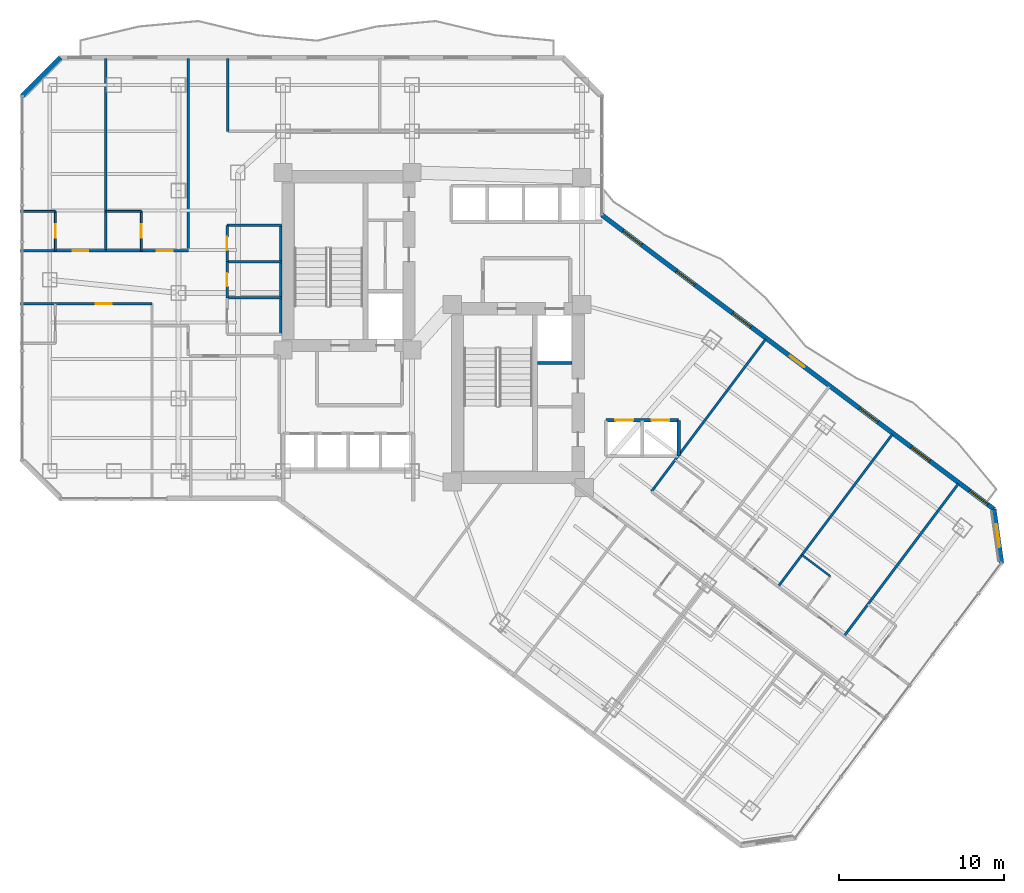
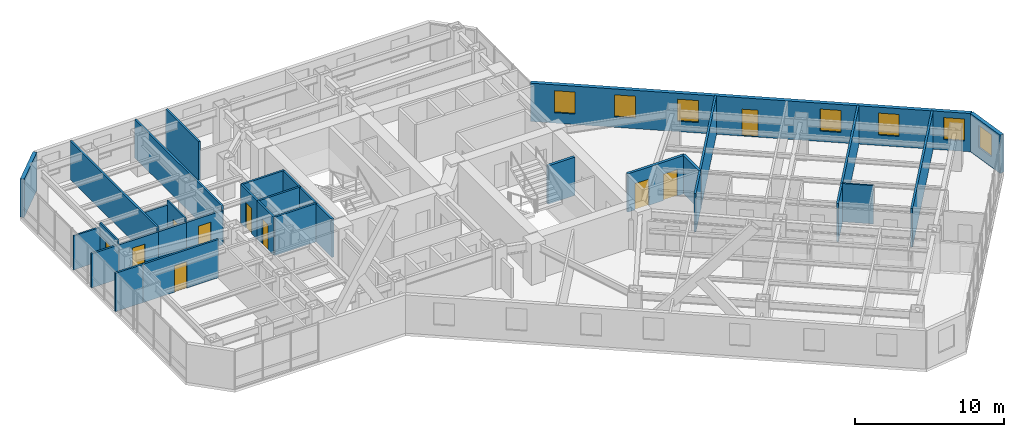
# One storey, part 24 of 30: 29 walls, 10 doors, 7 windows, 17 openings.
"""IFC4 building model written with IfcOpenShell, lengths in metres."""

from ifc_helpers import new_model, si_unit, direction, frame, frame_2d, origin, place, context, subcontext, project, spatial, rectangle, extrude, material, layer, layer_set, type_object, element, fill, save


model = new_model("IFC4")

# Units and contexts
model_context = context("Model", 3, precision=1e-05, world=origin(), true_north=direction((0.0, 1.0)))
body_context = subcontext(model_context, "Body", "Model", "MODEL_VIEW")
ifc_project = project(units=[si_unit("LENGTHUNIT", "METRE"), si_unit("AREAUNIT", "SQUARE_METRE"), si_unit("VOLUMEUNIT", "CUBIC_METRE"), si_unit("PLANEANGLEUNIT", "RADIAN"), si_unit("MASSUNIT", "GRAM", prefix="KILO")], contexts=[model_context])

# Site, building, storey
site_placement = place(None, origin())
site = spatial("IfcSite", under=ifc_project, at=site_placement, CompositionType="ELEMENT")
building_placement = place(site_placement, origin())
building = spatial("IfcBuilding", under=site, at=building_placement, Name="Hatsunagi Terrace Concourse", CompositionType="ELEMENT")
storey_placement = place(building_placement, frame((0.0, 0.0, 74.60009765625)))
storey = spatial("IfcBuildingStorey", under=building, at=storey_placement, Name="L19", CompositionType="ELEMENT", Elevation=74.60009765625)

# Wall, opening, door
ifc_material_1 = material(Name="Acoustic mineral board", Category="gypsum")
ifc_layer_1 = layer(ifc_material_1, 0.1201171875)
ifc_layer_set_1 = layer_set([ifc_layer_1], Name="PartitionWall_EI30_120")
wall_type_1 = type_object("IfcWallType", Name="PartitionWall_EI30_120", PredefinedType="PARTITIONING", material=ifc_layer_set_1)
wall_1_placement = place(storey_placement, frame((11.75, 38.550048828125, 0.0), z_axis=(0.0, 0.0, 1.0), x_axis=(0.0, 1.0, 0.0)))
wall_1 = element("IfcWall", 1, at=wall_1_placement, inside=storey, type_object=wall_type_1, Name="Interior Partition IW-L19-050", PredefinedType="PARTITIONING", context=body_context, shape_type="SweptSolid", body=[
    extrude(rectangle(XDim=2.39990234375, YDim=0.1201171875, at=frame_2d((1.199951171875, 0.0))), origin(), (0.0, 0.0, 1.0), 3.1298828125),
])
opening_1_placement = place(wall_1_placement, frame((0.800048828125, 0.0, 0.0)))
opening_1 = element("IfcOpeningElement", 2, at=opening_1_placement, cuts=wall_1, Name="Opening DR-080", PredefinedType="OPENING", context=body_context, shape_type="SweptSolid", body=[
    extrude(rectangle(XDim=0.800048828125, YDim=2.06005859375, at=frame_2d((0.39990234375, 1.030029296875))), frame((0.0, 0.070068359375, 0.0), z_axis=(0.0, -1.0, 0.0), x_axis=(1.0, 0.0, 0.0)), (0.0, 0.0, 1.0), 0.14013671875),
])
ifc_material_2 = material(Name="Hardwood timber", Category="wood")
door_type_1 = type_object("IfcDoorType", Name="BathroomDoor_800", OperationType="NOTDEFINED", PredefinedType="DOOR", material=ifc_material_2)
door_1_placement = place(opening_1_placement, origin())
door_1 = element("IfcDoor", 3, at=door_1_placement, inside=storey, type_object=door_type_1, Name="En-Suite Bathroom L19-N1 Door", OperationType="SINGLE_SWING_RIGHT", OverallHeight=2.06005859375, OverallWidth=0.800048828125, PredefinedType="DOOR", context=body_context, shape_type="SweptSolid", body=[
    extrude(rectangle(XDim=0.800048828125, YDim=2.06005859375, at=frame_2d((0.39990234375, 1.030029296875))), frame((0.0, 0.02490234375, 0.0), z_axis=(0.0, -1.0, 0.0), x_axis=(1.0, 0.0, 0.0)), (0.0, 0.0, 1.0), 0.050048828125),
])
fill(opening_1, door_1)

# Wall
wall_2_placement = place(storey_placement, frame((9.639892578125, 40.949951171875, 0.0), z_axis=(0.0, 0.0, 1.0), x_axis=(1.0, 0.0, 0.0)))
element("IfcWall", 4, at=wall_2_placement, inside=storey, type_object=wall_type_1, Name="Interior Partition IW-L19-051", PredefinedType="PARTITIONING", context=body_context, shape_type="SweptSolid", body=[
    extrude(rectangle(XDim=2.110107421875, YDim=0.1201171875, at=frame_2d((1.05517578125, 0.0))), origin(), (0.0, 0.0, 1.0), 2.77490234375),
])

# Wall, opening, door
wall_3_placement = place(storey_placement, frame((16.949951171875, 38.550048828125, 0.0), z_axis=(0.0, 0.0, 1.0), x_axis=(0.0, 1.0, 0.0)))
wall_3 = element("IfcWall", 5, at=wall_3_placement, inside=storey, type_object=wall_type_1, Name="Interior Partition IW-L19-055", PredefinedType="PARTITIONING", context=body_context, shape_type="SweptSolid", body=[
    extrude(rectangle(XDim=2.39990234375, YDim=0.1201171875, at=frame_2d((1.199951171875, 0.0))), origin(), (0.0, 0.0, 1.0), 3.1298828125),
])
opening_2_placement = place(wall_3_placement, frame((0.800048828125, 0.0, 0.0)))
opening_2 = element("IfcOpeningElement", 6, at=opening_2_placement, cuts=wall_3, Name="Opening DR-080", PredefinedType="OPENING", context=body_context, shape_type="SweptSolid", body=[
    extrude(rectangle(XDim=0.800048828125, YDim=2.06005859375, at=frame_2d((0.39990234375, 1.030029296875))), frame((0.0, 0.070068359375, 0.0), z_axis=(0.0, -1.0, 0.0), x_axis=(1.0, 0.0, 0.0)), (0.0, 0.0, 1.0), 0.14013671875),
])
door_2_placement = place(opening_2_placement, origin())
door_2 = element("IfcDoor", 7, at=door_2_placement, inside=storey, type_object=door_type_1, Name="En-Suite Bathroom L19-N2 Door", OperationType="SINGLE_SWING_LEFT", OverallHeight=2.06005859375, OverallWidth=0.800048828125, PredefinedType="DOOR", context=body_context, shape_type="SweptSolid", body=[
    extrude(rectangle(XDim=0.800048828125, YDim=2.06005859375, at=frame_2d((0.39990234375, 1.030029296875))), frame((0.0, 0.02490234375, 0.0), z_axis=(0.0, -1.0, 0.0), x_axis=(1.0, 0.0, 0.0)), (0.0, 0.0, 1.0), 0.050048828125),
])
fill(opening_2, door_2)

# Walls
wall_4_placement = place(storey_placement, frame((14.800048828125, 40.949951171875, 0.0), z_axis=(0.0, 0.0, 1.0), x_axis=(1.0, 0.0, 0.0)))
element("IfcWall", 8, at=wall_4_placement, inside=storey, type_object=wall_type_1, Name="Interior Partition IW-L19-056", PredefinedType="PARTITIONING", context=body_context, shape_type="SweptSolid", body=[
    extrude(rectangle(XDim=2.14990234375, YDim=0.1201171875, at=frame_2d((1.074951171875, 0.0))), origin(), (0.0, 0.0, 1.0), 2.77490234375),
])
wall_5_placement = place(storey_placement, frame((56.989990234375, 20.1201171875, 0.0), z_axis=(0.0, 0.0, 1.0), x_axis=(0.79998637334, -0.60001816845, 0.0)))
element("IfcWall", 9, at=wall_5_placement, inside=storey, type_object=wall_type_1, Name="Interior Partition IW-L19-079", PredefinedType="PARTITIONING", context=body_context, shape_type="SweptSolid", body=[
    extrude(rectangle(XDim=2.14990234375, YDim=0.1201171875, at=frame_2d((1.074951171875, 0.0))), origin(), (0.0, 0.0, 1.0), 3.1298828125),
])
ifc_material_3 = material(Name="Acoustic mineral board", Category="gypsum")
ifc_layer_2 = layer(ifc_material_3, 0.14990234375)
ifc_layer_set_2 = layer_set([ifc_layer_2], Name="PartitionWall_EI60_150")
wall_type_2 = type_object("IfcWallType", Name="PartitionWall_EI60_150", PredefinedType="PARTITIONING", material=ifc_layer_set_2)
wall_6_placement = place(storey_placement, frame((22.14990234375, 40.10009765625, 0.0), z_axis=(0.0, 0.0, 1.0), x_axis=(1.0, 0.0, 0.0)))
element("IfcWall", 10, at=wall_6_placement, inside=storey, type_object=wall_type_2, Name="Interior Partition IW-L19-031", PredefinedType="PARTITIONING", context=body_context, shape_type="SweptSolid", body=[
    extrude(rectangle(XDim=3.300048828125, YDim=0.14990234375, at=frame_2d((1.64990234375, 0.0))), origin(), (0.0, 0.0, 1.0), 3.1298828125),
])
wall_7_placement = place(storey_placement, frame((25.39990234375, 33.5, 0.0), z_axis=(0.0, 0.0, 1.0), x_axis=(0.0, 1.0, 0.0)))
element("IfcWall", 11, at=wall_7_placement, inside=storey, type_object=wall_type_2, Name="Interior Partition IW-L19-032", PredefinedType="PARTITIONING", context=body_context, shape_type="SweptSolid", body=[
    extrude(rectangle(XDim=6.60009765625, YDim=0.14990234375, at=frame_2d((3.300048828125, 0.0))), origin(), (0.0, 0.0, 1.0), 3.1298828125),
])
for number, where, z_axis, x_axis, name in (
    (12, (22.14990234375, 35.699951171875, 0.0), (0.0, 0.0, 1.0), (1.0, 0.0, 0.0), "Interior Partition IW-L19-033"),
    (13, (22.14990234375, 37.89990234375, 0.0), (0.0, 0.0, 1.0), (1.0, 0.0, 0.0), "Interior Partition IW-L19-034"),
):
    element("IfcWall", number, at=place(storey_placement, frame(where, z_axis=z_axis, x_axis=x_axis)), inside=storey, type_object=wall_type_2, Name=name, PredefinedType="PARTITIONING", context=body_context, shape_type="SweptSolid", body=[
        extrude(rectangle(XDim=3.300048828125, YDim=0.14990234375, at=frame_2d((1.64990234375, 0.0))), origin(), (0.0, 0.0, 1.0), 3.1298828125),
    ])

# Wall, opening, door
wall_8_placement = place(storey_placement, frame((22.14990234375, 35.699951171875, 0.0), z_axis=(0.0, 0.0, 1.0), x_axis=(0.0, 1.0, 0.0)))
wall_8 = element("IfcWall", 14, at=wall_8_placement, inside=storey, type_object=wall_type_2, Name="Interior Partition IW-L19-036", PredefinedType="PARTITIONING", context=body_context, shape_type="SweptSolid", body=[
    extrude(rectangle(XDim=2.199951171875, YDim=0.14990234375, at=frame_2d((1.10009765625, 0.0))), origin(), (0.0, 0.0, 1.0), 3.1298828125),
])
opening_3_placement = place(wall_8_placement, frame((0.699951171875, 0.0, 0.0)))
opening_3 = element("IfcOpeningElement", 15, at=opening_3_placement, cuts=wall_8, Name="Opening DR-080", PredefinedType="OPENING", context=body_context, shape_type="SweptSolid", body=[
    extrude(rectangle(XDim=0.800048828125, YDim=2.06005859375, at=frame_2d((0.39990234375, 1.030029296875))), frame((0.0, 0.0849609375, 0.0), z_axis=(0.0, -1.0, 0.0), x_axis=(1.0, 0.0, 0.0)), (0.0, 0.0, 1.0), 0.169921875),
])
door_3_placement = place(opening_3_placement, origin())
door_3 = element("IfcDoor", 16, at=door_3_placement, inside=storey, type_object=door_type_1, Name="Female Restroom Door L19", OperationType="SINGLE_SWING_RIGHT", OverallHeight=2.06005859375, OverallWidth=0.800048828125, PredefinedType="DOOR", context=body_context, shape_type="SweptSolid", body=[
    extrude(rectangle(XDim=0.800048828125, YDim=2.06005859375, at=frame_2d((0.39990234375, 1.030029296875))), frame((0.0, 0.02490234375, 0.0), z_axis=(0.0, -1.0, 0.0), x_axis=(1.0, 0.0, 0.0)), (0.0, 0.0, 1.0), 0.050048828125),
])
fill(opening_3, door_3)

wall_9_placement = place(storey_placement, frame((22.14990234375, 37.89990234375, 0.0), z_axis=(0.0, 0.0, 1.0), x_axis=(0.0, 1.0, 0.0)))
wall_9 = element("IfcWall", 17, at=wall_9_placement, inside=storey, type_object=wall_type_2, Name="Interior Partition IW-L19-037", PredefinedType="PARTITIONING", context=body_context, shape_type="SweptSolid", body=[
    extrude(rectangle(XDim=2.2001953125, YDim=0.14990234375, at=frame_2d((1.10009765625, 0.0))), origin(), (0.0, 0.0, 1.0), 3.1298828125),
])
opening_4_placement = place(wall_9_placement, frame((0.699951171875, 0.0, 0.0)))
opening_4 = element("IfcOpeningElement", 18, at=opening_4_placement, cuts=wall_9, Name="Opening DR-080", PredefinedType="OPENING", context=body_context, shape_type="SweptSolid", body=[
    extrude(rectangle(XDim=0.800048828125, YDim=2.06005859375, at=frame_2d((0.39990234375, 1.030029296875))), frame((0.0, 0.0849609375, 0.0), z_axis=(0.0, -1.0, 0.0), x_axis=(1.0, 0.0, 0.0)), (0.0, 0.0, 1.0), 0.169921875),
])
door_4_placement = place(opening_4_placement, origin())
door_4 = element("IfcDoor", 19, at=door_4_placement, inside=storey, type_object=door_type_1, Name="Male Restroom Door L19", OperationType="SINGLE_SWING_RIGHT", OverallHeight=2.06005859375, OverallWidth=0.800048828125, PredefinedType="DOOR", context=body_context, shape_type="SweptSolid", body=[
    extrude(rectangle(XDim=0.800048828125, YDim=2.06005859375, at=frame_2d((0.39990234375, 1.030029296875))), frame((0.0, 0.02490234375, 0.0), z_axis=(0.0, -1.0, 0.0), x_axis=(1.0, 0.0, 0.0)), (0.0, 0.0, 1.0), 0.050048828125),
])
fill(opening_4, door_4)

# Walls
wall_10_placement = place(storey_placement, frame((22.199951171875, 45.800048828125, 0.0), z_axis=(0.0, 0.0, 1.0), x_axis=(0.0, 1.0, 0.0)))
element("IfcWall", 20, at=wall_10_placement, inside=storey, type_object=wall_type_2, Name="Interior Partition IW-L19-039", PredefinedType="PARTITIONING", context=body_context, shape_type="SweptSolid", body=[
    extrude(rectangle(XDim=4.39990234375, YDim=0.14990234375, at=frame_2d((2.199951171875, 0.0))), origin(), (0.0, 0.0, 1.0), 3.1298828125),
])
wall_11_placement = place(storey_placement, frame((9.639892578125, 38.550048828125, 0.0), z_axis=(0.0, 0.0, 1.0), x_axis=(1.0, 0.0, 0.0)))
element("IfcWall", 21, at=wall_11_placement, inside=storey, type_object=wall_type_2, Name="Interior Partition IW-L19-048", PredefinedType="PARTITIONING", context=body_context, shape_type="SweptSolid", body=[
    extrude(rectangle(XDim=2.110107421875, YDim=0.14990234375, at=frame_2d((1.05517578125, 0.0))), origin(), (0.0, 0.0, 1.0), 2.77490234375),
])

# Wall, opening, door
wall_12_placement = place(storey_placement, frame((11.75, 38.550048828125, 0.0), z_axis=(0.0, 0.0, 1.0), x_axis=(1.0, 0.0, 0.0)))
wall_12 = element("IfcWall", 22, at=wall_12_placement, inside=storey, type_object=wall_type_2, Name="Interior Partition IW-L19-049", PredefinedType="PARTITIONING", context=body_context, shape_type="SweptSolid", body=[
    extrude(rectangle(XDim=3.050048828125, YDim=0.14990234375, at=frame_2d((1.52490234375, 0.0))), origin(), (0.0, 0.0, 1.0), 2.77490234375),
])
opening_5_placement = place(wall_12_placement, frame((1.050048828125, 0.0, 0.0)))
opening_5 = element("IfcOpeningElement", 23, at=opening_5_placement, cuts=wall_12, Name="Opening DR-095", PredefinedType="OPENING", context=body_context, shape_type="SweptSolid", body=[
    extrude(rectangle(XDim=0.949951171875, YDim=2.14990234375, at=frame_2d((0.47509765625, 1.074951171875))), frame((0.0, 0.0849609375, 0.0), z_axis=(0.0, -1.0, 0.0), x_axis=(1.0, 0.0, 0.0)), (0.0, 0.0, 1.0), 0.169921875),
])
ifc_material_4 = material(Name="Hardwood timber", Category="wood")
door_type_2 = type_object("IfcDoorType", Name="InteriorSuiteDoor_EI30_950", OperationType="NOTDEFINED", PredefinedType="DOOR", material=ifc_material_4)
door_5_placement = place(opening_5_placement, origin())
door_5 = element("IfcDoor", 24, at=door_5_placement, inside=storey, type_object=door_type_2, Name="Hotel Guest Room L19-N1 Door", OperationType="SINGLE_SWING_LEFT", OverallHeight=2.14990234375, OverallWidth=0.949951171875, PredefinedType="DOOR", context=body_context, shape_type="SweptSolid", body=[
    extrude(rectangle(XDim=0.949951171875, YDim=2.14990234375, at=frame_2d((0.47509765625, 1.074951171875))), frame((0.0, 0.02490234375, 0.0), z_axis=(0.0, -1.0, 0.0), x_axis=(1.0, 0.0, 0.0)), (0.0, 0.0, 1.0), 0.050048828125),
])
fill(opening_5, door_5)

# Walls
wall_13_placement = place(storey_placement, frame((14.800048828125, 38.550048828125, 0.0), z_axis=(0.0, 0.0, 1.0), x_axis=(0.0, 1.0, 0.0)))
element("IfcWall", 25, at=wall_13_placement, inside=storey, type_object=wall_type_2, Name="Interior Partition IW-L19-052", PredefinedType="PARTITIONING", context=body_context, shape_type="SweptSolid", body=[
    extrude(rectangle(XDim=11.64990234375, YDim=0.14990234375, at=frame_2d((5.824951171875, 0.0))), origin(), (0.0, 0.0, 1.0), 3.1298828125),
])
wall_14_placement = place(storey_placement, frame((14.800048828125, 38.550048828125, 0.0), z_axis=(0.0, 0.0, 1.0), x_axis=(1.0, 0.0, 0.0)))
element("IfcWall", 26, at=wall_14_placement, inside=storey, type_object=wall_type_2, Name="Interior Partition IW-L19-053", PredefinedType="PARTITIONING", context=body_context, shape_type="SweptSolid", body=[
    extrude(rectangle(XDim=2.14990234375, YDim=0.14990234375, at=frame_2d((1.074951171875, 0.0))), origin(), (0.0, 0.0, 1.0), 2.77490234375),
])

# Wall, opening, door
wall_15_placement = place(storey_placement, frame((16.949951171875, 38.550048828125, 0.0), z_axis=(0.0, 0.0, 1.0), x_axis=(1.0, 0.0, 0.0)))
wall_15 = element("IfcWall", 27, at=wall_15_placement, inside=storey, type_object=wall_type_2, Name="Interior Partition IW-L19-054", PredefinedType="PARTITIONING", context=body_context, shape_type="SweptSolid", body=[
    extrude(rectangle(XDim=2.85009765625, YDim=0.14990234375, at=frame_2d((1.425048828125, 0.0))), origin(), (0.0, 0.0, 1.0), 2.77490234375),
])
opening_6_placement = place(wall_15_placement, frame((0.949951171875, 0.0, 0.0)))
opening_6 = element("IfcOpeningElement", 28, at=opening_6_placement, cuts=wall_15, Name="Opening DR-095", PredefinedType="OPENING", context=body_context, shape_type="SweptSolid", body=[
    extrude(rectangle(XDim=0.949951171875, YDim=2.14990234375, at=frame_2d((0.47509765625, 1.074951171875))), frame((0.0, 0.0849609375, 0.0), z_axis=(0.0, -1.0, 0.0), x_axis=(1.0, 0.0, 0.0)), (0.0, 0.0, 1.0), 0.169921875),
])
door_6_placement = place(opening_6_placement, origin())
door_6 = element("IfcDoor", 29, at=door_6_placement, inside=storey, type_object=door_type_2, Name="Hotel Guest Room L19-N2 Door", OperationType="SINGLE_SWING_LEFT", OverallHeight=2.14990234375, OverallWidth=0.949951171875, PredefinedType="DOOR", context=body_context, shape_type="SweptSolid", body=[
    extrude(rectangle(XDim=0.949951171875, YDim=2.14990234375, at=frame_2d((0.47509765625, 1.074951171875))), frame((0.0, 0.02490234375, 0.0), z_axis=(0.0, -1.0, 0.0), x_axis=(1.0, 0.0, 0.0)), (0.0, 0.0, 1.0), 0.050048828125),
])
fill(opening_6, door_6)

# Walls
wall_16_placement = place(storey_placement, frame((19.800048828125, 38.550048828125, 0.0), z_axis=(0.0, 0.0, 1.0), x_axis=(0.0, 1.0, 0.0)))
element("IfcWall", 30, at=wall_16_placement, inside=storey, type_object=wall_type_2, Name="Interior Partition IW-L19-057", PredefinedType="PARTITIONING", context=body_context, shape_type="SweptSolid", body=[
    extrude(rectangle(XDim=11.64990234375, YDim=0.14990234375, at=frame_2d((5.824951171875, 0.0))), origin(), (0.0, 0.0, 1.0), 3.1298828125),
])
wall_17_placement = place(storey_placement, frame((9.639892578125, 35.35009765625, 0.0), z_axis=(0.0, 0.0, 1.0), x_axis=(1.0, 0.0, 0.0)))
element("IfcWall", 31, at=wall_17_placement, inside=storey, type_object=wall_type_2, Name="Interior Partition IW-L19-058", PredefinedType="PARTITIONING", context=body_context, shape_type="SweptSolid", body=[
    extrude(rectangle(XDim=2.110107421875, YDim=0.14990234375, at=frame_2d((1.05517578125, 0.0))), origin(), (0.0, 0.0, 1.0), 3.1298828125),
])

# Wall, opening, door
wall_18_placement = place(storey_placement, frame((11.75, 35.35009765625, 0.0), z_axis=(0.0, 0.0, 1.0), x_axis=(1.0, 0.0, 0.0)))
wall_18 = element("IfcWall", 32, at=wall_18_placement, inside=storey, type_object=wall_type_2, Name="Interior Partition IW-L19-059", PredefinedType="PARTITIONING", context=body_context, shape_type="SweptSolid", body=[
    extrude(rectangle(XDim=5.85009765625, YDim=0.14990234375, at=frame_2d((2.925048828125, 0.0))), origin(), (0.0, 0.0, 1.0), 3.1298828125),
])
opening_7_placement = place(wall_18_placement, frame((2.449951171875, 0.0, 0.0)))
opening_7 = element("IfcOpeningElement", 33, at=opening_7_placement, cuts=wall_18, Name="Opening DR-095", PredefinedType="OPENING", context=body_context, shape_type="SweptSolid", body=[
    extrude(rectangle(XDim=0.949951171875, YDim=2.14990234375, at=frame_2d((0.47509765625, 1.074951171875))), frame((0.0, 0.0849609375, 0.0), z_axis=(0.0, -1.0, 0.0), x_axis=(1.0, 0.0, 0.0)), (0.0, 0.0, 1.0), 0.169921875),
])
door_7_placement = place(opening_7_placement, origin())
door_7 = element("IfcDoor", 34, at=door_7_placement, inside=storey, type_object=door_type_2, Name="Corner Hotel Suite L19-S1 Door", OperationType="SINGLE_SWING_RIGHT", OverallHeight=2.14990234375, OverallWidth=0.949951171875, PredefinedType="DOOR", context=body_context, shape_type="SweptSolid", body=[
    extrude(rectangle(XDim=0.949951171875, YDim=2.14990234375, at=frame_2d((0.47509765625, 1.074951171875))), frame((0.0, 0.02490234375, 0.0), z_axis=(0.0, -1.0, 0.0), x_axis=(1.0, 0.0, 0.0)), (0.0, 0.0, 1.0), 0.050048828125),
])
fill(opening_7, door_7)

# Walls
for number, where, z_axis, x_axis, name in (
    (35, (47.8701171875, 23.9599609375, 0.0), (0.0, 0.0, 1.0), (0.599996617946, 0.80000253653, 0.0), "Interior Partition IW-L19-069"),
    (36, (55.550048828125, 18.199951171875, 0.0), (0.0, 0.0, 1.0), (0.599996617946, 0.80000253653, 0.0), "Interior Partition IW-L19-075"),
    (37, (59.550048828125, 15.199951171875, 0.0), (0.0, 0.0, 1.0), (0.599996617946, 0.80000253653, 0.0), "Interior Partition IW-L19-080"),
):
    element("IfcWall", number, at=place(storey_placement, frame(where, z_axis=z_axis, x_axis=x_axis)), inside=storey, type_object=wall_type_2, Name=name, PredefinedType="PARTITIONING", context=body_context, shape_type="SweptSolid", body=[
        extrude(rectangle(XDim=11.550048828125, YDim=0.14990234375, at=frame_2d((5.77490234375, 0.0))), origin(), (0.0, 0.0, 1.0), 3.1298828125),
    ])
ifc_material_5 = material(Name="Acoustic mineral board", Category="gypsum")
ifc_layer_3 = layer(ifc_material_5, 0.199951171875)
ifc_layer_set_3 = layer_set([ifc_layer_3], Name="ShaftWall_EI120_200")
wall_type_3 = type_object("IfcWallType", Name="ShaftWall_EI120_200", PredefinedType="STANDARD", material=ifc_layer_set_3)
wall_19_placement = place(storey_placement, frame((40.969970703125, 31.760009765625, 0.0), z_axis=(0.0, 0.0, 1.0), x_axis=(1.0, 0.0, 0.0)))
element("IfcWall", 38, at=wall_19_placement, inside=storey, type_object=wall_type_3, Name="Interior Partition IW-L19-004", PredefinedType="STANDARD", context=body_context, shape_type="SweptSolid", body=[
    extrude(rectangle(XDim=2.080078125, YDim=0.199951171875, at=frame_2d((1.0400390625, 0.0))), origin(), (0.0, 0.0, 1.0), 3.1298828125),
])
wall_20_placement = place(storey_placement, frame((49.52001953125, 26.1201171875, 0.0), z_axis=(0.0, 0.0, 1.0), x_axis=(0.0, 1.0, 0.0)))
element("IfcWall", 39, at=wall_20_placement, inside=storey, type_object=wall_type_3, Name="Interior Partition IW-L19-027", PredefinedType="STANDARD", context=body_context, shape_type="SweptSolid", body=[
    extrude(rectangle(XDim=2.159912109375, YDim=0.199951171875, at=frame_2d((1.080078125, 0.0))), origin(), (0.0, 0.0, 1.0), 3.1298828125),
])

# Wall, openings, doors
wall_21_placement = place(storey_placement, frame((45.1201171875, 28.280029296875, 0.0), z_axis=(0.0, 0.0, 1.0), x_axis=(1.0, 0.0, 0.0)))
wall_21 = element("IfcWall", 40, at=wall_21_placement, inside=storey, type_object=wall_type_3, Name="Interior Partition IW-L19-029", PredefinedType="STANDARD", context=body_context, shape_type="SweptSolid", body=[
    extrude(rectangle(XDim=4.39990234375, YDim=0.199951171875, at=frame_2d((2.199951171875, 0.0))), origin(), (0.0, 0.0, 1.0), 3.1298828125),
])
opening_8_placement = place(wall_21_placement, frame((0.56005859375, 0.0, 0.0)))
opening_8 = element("IfcOpeningElement", 41, at=opening_8_placement, cuts=wall_21, Name="Opening LD-03", PredefinedType="OPENING", context=body_context, shape_type="SweptSolid", body=[
    extrude(rectangle(XDim=1.080078125, YDim=2.14990234375, at=frame_2d((0.5400390625, 1.074951171875))), frame((0.0, 0.10986328125, 0.0), z_axis=(0.0, -1.0, 0.0), x_axis=(1.0, 0.0, 0.0)), (0.0, 0.0, 1.0), 0.219970703125),
])
opening_9_placement = place(wall_21_placement, frame((2.760009765625, 0.0, 0.0)))
opening_9 = element("IfcOpeningElement", 42, at=opening_9_placement, cuts=wall_21, Name="Opening LD-03", PredefinedType="OPENING", context=body_context, shape_type="SweptSolid", body=[
    extrude(rectangle(XDim=1.080078125, YDim=2.14990234375, at=frame_2d((0.5400390625, 1.074951171875))), frame((0.0, 0.10986328125, 0.0), z_axis=(0.0, -1.0, 0.0), x_axis=(1.0, 0.0, 0.0)), (0.0, 0.0, 1.0), 0.219970703125),
])
ifc_material_6 = material(Name="Stainless steel", Category="steel")
door_type_3 = type_object("IfcDoorType", Name="LiftLandingDoor_LD03", OperationType="SLIDING_TO_LEFT", PredefinedType="USERDEFINED", material=ifc_material_6)
door_8_placement = place(opening_8_placement, origin())
door_8 = element("IfcDoor", 43, at=door_8_placement, inside=storey, type_object=door_type_3, Name="Lift landing door PL-09 L19", ObjectType="SLIDING_LANDING_DOOR", OperationType="SLIDING_TO_LEFT", OverallHeight=2.14990234375, OverallWidth=1.080078125, PredefinedType="USERDEFINED", context=body_context, shape_type="SweptSolid", body=[
    extrude(rectangle(XDim=1.080078125, YDim=2.14990234375, at=frame_2d((0.5400390625, 1.074951171875))), frame((0.0, 0.02490234375, 0.0), z_axis=(0.0, -1.0, 0.0), x_axis=(1.0, 0.0, 0.0)), (0.0, 0.0, 1.0), 0.050048828125),
])
fill(opening_8, door_8)
door_9_placement = place(opening_9_placement, origin())
door_9 = element("IfcDoor", 44, at=door_9_placement, inside=storey, type_object=door_type_3, Name="Lift landing door PL-10 L19", ObjectType="SLIDING_LANDING_DOOR", OperationType="SLIDING_TO_LEFT", OverallHeight=2.14990234375, OverallWidth=1.080078125, PredefinedType="USERDEFINED", context=body_context, shape_type="SweptSolid", body=[
    extrude(rectangle(XDim=1.080078125, YDim=2.14990234375, at=frame_2d((0.5400390625, 1.074951171875))), frame((0.0, 0.02490234375, 0.0), z_axis=(0.0, -1.0, 0.0), x_axis=(1.0, 0.0, 0.0)), (0.0, 0.0, 1.0), 0.050048828125),
])
fill(opening_9, door_9)

# Wall, openings, door, windows
ifc_material_7 = material(Name="Autoclaved Lightweight Concrete and Terracotta Cladding", Category="masonry")
ifc_layer_4 = layer(ifc_material_7, 0.280029296875)
ifc_layer_set_4 = layer_set([ifc_layer_4], Name="TerracottaSpandrelWall_280")
wall_type_4 = type_object("IfcWallType", Name="TerracottaSpandrelWall_280", PredefinedType="STANDARD", material=ifc_layer_set_4)
wall_22_placement = place(storey_placement, frame((44.860107421875, 40.72998046875, 0.0), z_axis=(0.0, 0.0, 1.0), x_axis=(0.800006902154, -0.599990797017, 0.0)))
wall_22 = element("IfcWall", 45, at=wall_22_placement, inside=storey, type_object=wall_type_4, Name="Exterior Spandrel Wall EW-L19-01", PredefinedType="STANDARD", context=body_context, shape_type="SweptSolid", body=[
    extrude(rectangle(XDim=29.7119140625, YDim=0.280029296875, at=frame_2d((14.85595703125, 0.0))), origin(), (0.0, 0.0, 1.0), 3.1298828125),
])
opening_10_placement = place(wall_22_placement, frame((14.2490234375, 0.0, 0.0)))
opening_10 = element("IfcOpeningElement", 46, at=opening_10_placement, cuts=wall_22, Name="Opening BD-01", PredefinedType="OPENING", context=body_context, shape_type="SweptSolid", body=[
    extrude(rectangle(XDim=1.10009765625, YDim=2.199951171875, at=frame_2d((0.550048828125, 1.10009765625))), frame((0.0, 0.14990234375, 0.0), z_axis=(0.0, -1.0, 0.0), x_axis=(1.0, 0.0, 0.0)), (0.0, 0.0, 1.0), 0.300048828125),
])
opening_11_placement = place(wall_22_placement, frame((1.612060546875, 0.0, 0.85009765625)))
opening_11 = element("IfcOpeningElement", 47, at=opening_11_placement, cuts=wall_22, Name="Opening WIN-02", PredefinedType="OPENING", context=body_context, shape_type="SweptSolid", body=[
    extrude(rectangle(XDim=1.39990234375, YDim=1.800048828125, at=frame_2d((0.699951171875, 0.89990234375))), frame((0.0, 0.14990234375, 0.0), z_axis=(0.0, -1.0, 0.0), x_axis=(1.0, 0.0, 0.0)), (0.0, 0.0, 1.0), 0.300048828125),
])
opening_12_placement = place(wall_22_placement, frame((5.6669921875, 0.0, 0.85009765625)))
opening_12 = element("IfcOpeningElement", 48, at=opening_12_placement, cuts=wall_22, Name="Opening WIN-02", PredefinedType="OPENING", context=body_context, shape_type="SweptSolid", body=[
    extrude(rectangle(XDim=1.39990234375, YDim=1.800048828125, at=frame_2d((0.699951171875, 0.89990234375))), frame((0.0, 0.14990234375, 0.0), z_axis=(0.0, -1.0, 0.0), x_axis=(1.0, 0.0, 0.0)), (0.0, 0.0, 1.0), 0.300048828125),
])
opening_13_placement = place(wall_22_placement, frame((9.912109375, 0.0, 0.85009765625)))
opening_13 = element("IfcOpeningElement", 49, at=opening_13_placement, cuts=wall_22, Name="Opening WIN-02", PredefinedType="OPENING", context=body_context, shape_type="SweptSolid", body=[
    extrude(rectangle(XDim=1.39990234375, YDim=1.800048828125, at=frame_2d((0.699951171875, 0.89990234375))), frame((0.0, 0.14990234375, 0.0), z_axis=(0.0, -1.0, 0.0), x_axis=(1.0, 0.0, 0.0)), (0.0, 0.0, 1.0), 0.300048828125),
])
opening_14_placement = place(wall_22_placement, frame((19.528076171875, 0.0, 0.85009765625)))
opening_14 = element("IfcOpeningElement", 50, at=opening_14_placement, cuts=wall_22, Name="Opening WIN-02", PredefinedType="OPENING", context=body_context, shape_type="SweptSolid", body=[
    extrude(rectangle(XDim=1.39990234375, YDim=1.800048828125, at=frame_2d((0.699951171875, 0.89990234375))), frame((0.0, 0.14990234375, 0.0), z_axis=(0.0, -1.0, 0.0), x_axis=(1.0, 0.0, 0.0)), (0.0, 0.0, 1.0), 0.300048828125),
])
opening_15_placement = place(wall_22_placement, frame((23.450927734375, 0.0, 0.85009765625)))
opening_15 = element("IfcOpeningElement", 51, at=opening_15_placement, cuts=wall_22, Name="Opening WIN-02", PredefinedType="OPENING", context=body_context, shape_type="SweptSolid", body=[
    extrude(rectangle(XDim=1.39990234375, YDim=1.800048828125, at=frame_2d((0.699951171875, 0.89990234375))), frame((0.0, 0.14990234375, 0.0), z_axis=(0.0, -1.0, 0.0), x_axis=(1.0, 0.0, 0.0)), (0.0, 0.0, 1.0), 0.300048828125),
])
opening_16_placement = place(wall_22_placement, frame((27.85205078125, 0.0, 0.85009765625)))
opening_16 = element("IfcOpeningElement", 52, at=opening_16_placement, cuts=wall_22, Name="Opening WIN-02", PredefinedType="OPENING", context=body_context, shape_type="SweptSolid", body=[
    extrude(rectangle(XDim=1.39990234375, YDim=1.800048828125, at=frame_2d((0.699951171875, 0.89990234375))), frame((0.0, 0.14990234375, 0.0), z_axis=(0.0, -1.0, 0.0), x_axis=(1.0, 0.0, 0.0)), (0.0, 0.0, 1.0), 0.300048828125),
])
ifc_material_8 = material(Name="Galvanised Steel and Laminated Safety Glass", Category="steel")
door_type_4 = type_object("IfcDoorType", Name="BalconyTerraceAccessDoor_1100x2200", OperationType="SINGLE_SWING_LEFT", PredefinedType="DOOR", material=ifc_material_8)
door_10_placement = place(opening_10_placement, origin())
door_10 = element("IfcDoor", 53, at=door_10_placement, inside=storey, type_object=door_type_4, Name="Engawa Balcony Door L19-BSE", OperationType="SINGLE_SWING_LEFT", OverallHeight=2.199951171875, OverallWidth=1.10009765625, PredefinedType="DOOR", context=body_context, shape_type="SweptSolid", body=[
    extrude(rectangle(XDim=1.10009765625, YDim=2.199951171875, at=frame_2d((0.550048828125, 1.10009765625))), frame((0.0, 0.02490234375, 0.0), z_axis=(0.0, -1.0, 0.0), x_axis=(1.0, 0.0, 0.0)), (0.0, 0.0, 1.0), 0.050048828125),
])
fill(opening_10, door_10)
ifc_material_9 = material(Name="Thermally Broken Aluminium and Low-E Triple Glazing", Category="aluminium")
window_type = type_object("IfcWindowType", Name="HotelOperableVentWindow_1400x1800", PartitioningType="DOUBLE_PANEL_VERTICAL", PredefinedType="WINDOW", material=ifc_material_9)
window_1_placement = place(opening_11_placement, origin())
window_1 = element("IfcWindow", 54, at=window_1_placement, inside=storey, type_object=window_type, Name="Balcony Daylighting Window L19-01-1", OverallHeight=1.800048828125, OverallWidth=1.39990234375, PartitioningType="SINGLE_PANEL", PredefinedType="WINDOW", context=body_context, shape_type="SweptSolid", body=[
    extrude(rectangle(XDim=1.39990234375, YDim=1.800048828125, at=frame_2d((0.699951171875, 0.89990234375))), frame((0.0, 0.030029296875, 0.0), z_axis=(0.0, -1.0, 0.0), x_axis=(1.0, 0.0, 0.0)), (0.0, 0.0, 1.0), 0.06005859375),
])
fill(opening_11, window_1)
window_2_placement = place(opening_12_placement, origin())
window_2 = element("IfcWindow", 55, at=window_2_placement, inside=storey, type_object=window_type, Name="Balcony Daylighting Window L19-01-2", OverallHeight=1.800048828125, OverallWidth=1.39990234375, PartitioningType="SINGLE_PANEL", PredefinedType="WINDOW", context=body_context, shape_type="SweptSolid", body=[
    extrude(rectangle(XDim=1.39990234375, YDim=1.800048828125, at=frame_2d((0.699951171875, 0.89990234375))), frame((0.0, 0.030029296875, 0.0), z_axis=(0.0, -1.0, 0.0), x_axis=(1.0, 0.0, 0.0)), (0.0, 0.0, 1.0), 0.06005859375),
])
fill(opening_12, window_2)
window_3_placement = place(opening_13_placement, origin())
window_3 = element("IfcWindow", 56, at=window_3_placement, inside=storey, type_object=window_type, Name="Balcony Daylighting Window L19-01-3", OverallHeight=1.800048828125, OverallWidth=1.39990234375, PartitioningType="SINGLE_PANEL", PredefinedType="WINDOW", context=body_context, shape_type="SweptSolid", body=[
    extrude(rectangle(XDim=1.39990234375, YDim=1.800048828125, at=frame_2d((0.699951171875, 0.89990234375))), frame((0.0, 0.030029296875, 0.0), z_axis=(0.0, -1.0, 0.0), x_axis=(1.0, 0.0, 0.0)), (0.0, 0.0, 1.0), 0.06005859375),
])
fill(opening_13, window_3)
window_4_placement = place(opening_14_placement, origin())
window_4 = element("IfcWindow", 57, at=window_4_placement, inside=storey, type_object=window_type, Name="Balcony Daylighting Window L19-01-5", OverallHeight=1.800048828125, OverallWidth=1.39990234375, PartitioningType="SINGLE_PANEL", PredefinedType="WINDOW", context=body_context, shape_type="SweptSolid", body=[
    extrude(rectangle(XDim=1.39990234375, YDim=1.800048828125, at=frame_2d((0.699951171875, 0.89990234375))), frame((0.0, 0.030029296875, 0.0), z_axis=(0.0, -1.0, 0.0), x_axis=(1.0, 0.0, 0.0)), (0.0, 0.0, 1.0), 0.06005859375),
])
fill(opening_14, window_4)
window_5_placement = place(opening_15_placement, origin())
window_5 = element("IfcWindow", 58, at=window_5_placement, inside=storey, type_object=window_type, Name="Balcony Daylighting Window L19-01-6", OverallHeight=1.800048828125, OverallWidth=1.39990234375, PartitioningType="SINGLE_PANEL", PredefinedType="WINDOW", context=body_context, shape_type="SweptSolid", body=[
    extrude(rectangle(XDim=1.39990234375, YDim=1.800048828125, at=frame_2d((0.699951171875, 0.89990234375))), frame((0.0, 0.030029296875, 0.0), z_axis=(0.0, -1.0, 0.0), x_axis=(1.0, 0.0, 0.0)), (0.0, 0.0, 1.0), 0.06005859375),
])
fill(opening_15, window_5)
window_6_placement = place(opening_16_placement, origin())
window_6 = element("IfcWindow", 59, at=window_6_placement, inside=storey, type_object=window_type, Name="Balcony Daylighting Window L19-01-7", OverallHeight=1.800048828125, OverallWidth=1.39990234375, PartitioningType="SINGLE_PANEL", PredefinedType="WINDOW", context=body_context, shape_type="SweptSolid", body=[
    extrude(rectangle(XDim=1.39990234375, YDim=1.800048828125, at=frame_2d((0.699951171875, 0.89990234375))), frame((0.0, 0.030029296875, 0.0), z_axis=(0.0, -1.0, 0.0), x_axis=(1.0, 0.0, 0.0)), (0.0, 0.0, 1.0), 0.06005859375),
])
fill(opening_16, window_6)

# Wall, opening, window
wall_23_placement = place(storey_placement, frame((68.6298828125, 22.903076171875, 0.0), z_axis=(0.0, 0.0, 1.0), x_axis=(0.141285803956, -0.989968848803, 0.0)))
wall_23 = element("IfcWall", 60, at=wall_23_placement, inside=storey, type_object=wall_type_4, Name="Exterior Spandrel Wall EW-L19-02", PredefinedType="STANDARD", context=body_context, shape_type="SweptSolid", body=[
    extrude(rectangle(XDim=3.278076171875, YDim=0.280029296875, at=frame_2d((1.63916015625, 0.0))), origin(), (0.0, 0.0, 1.0), 3.1298828125),
])
opening_17_placement = place(wall_23_placement, frame((0.93896484375, 0.0, 0.85009765625)))
opening_17 = element("IfcOpeningElement", 61, at=opening_17_placement, cuts=wall_23, Name="Opening WIN-02", PredefinedType="OPENING", context=body_context, shape_type="SweptSolid", body=[
    extrude(rectangle(XDim=1.39990234375, YDim=1.800048828125, at=frame_2d((0.699951171875, 0.89990234375))), frame((0.0, 0.14990234375, 0.0), z_axis=(0.0, -1.0, 0.0), x_axis=(1.0, 0.0, 0.0)), (0.0, 0.0, 1.0), 0.300048828125),
])
window_7_placement = place(opening_17_placement, origin())
window_7 = element("IfcWindow", 62, at=window_7_placement, inside=storey, type_object=window_type, Name="Hotel Guestroom Window L19-02-1", OverallHeight=1.800048828125, OverallWidth=1.39990234375, PartitioningType="SINGLE_PANEL", PredefinedType="WINDOW", context=body_context, shape_type="SweptSolid", body=[
    extrude(rectangle(XDim=1.39990234375, YDim=1.800048828125, at=frame_2d((0.699951171875, 0.89990234375))), frame((0.0, 0.030029296875, 0.0), z_axis=(0.0, -1.0, 0.0), x_axis=(1.0, 0.0, 0.0)), (0.0, 0.0, 1.0), 0.06005859375),
])
fill(opening_17, window_7)

# Wall
wall_24_placement = place(storey_placement, frame((9.739990234375, 47.94189453125, 0.0), z_axis=(0.0, 0.0, 1.0), x_axis=(0.707106781187, 0.707106781187, 0.0)))
element("IfcWall", 63, at=wall_24_placement, inside=storey, type_object=wall_type_4, Name="Exterior Spandrel Wall EW-L19-10", PredefinedType="STANDARD", context=body_context, shape_type="SweptSolid", body=[
    extrude(rectangle(XDim=3.2783203125, YDim=0.280029296875, at=frame_2d((1.63916015625, 0.0))), origin(), (0.0, 0.0, 1.0), 3.1298828125),
])

save(model, "model.ifc")
